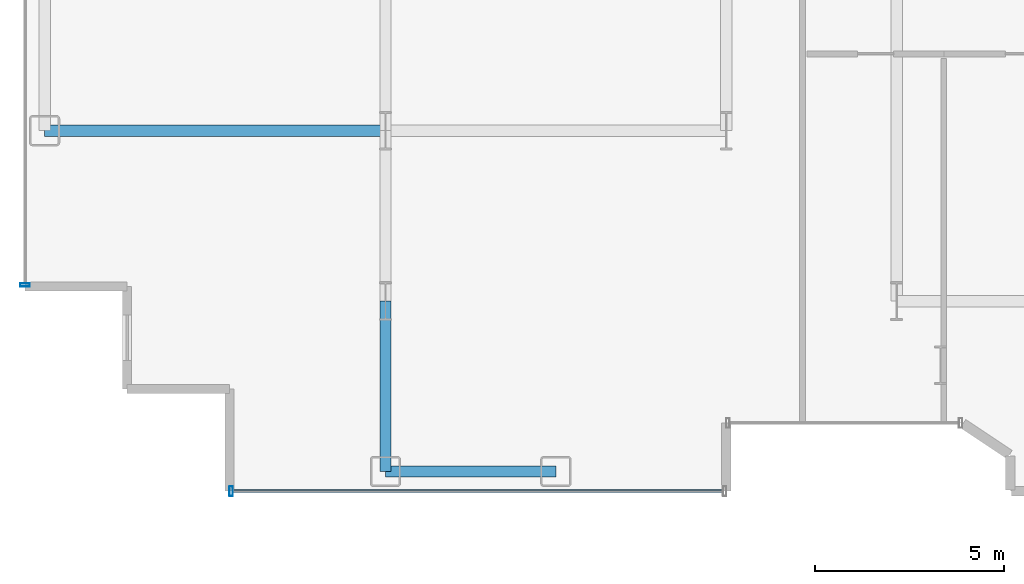
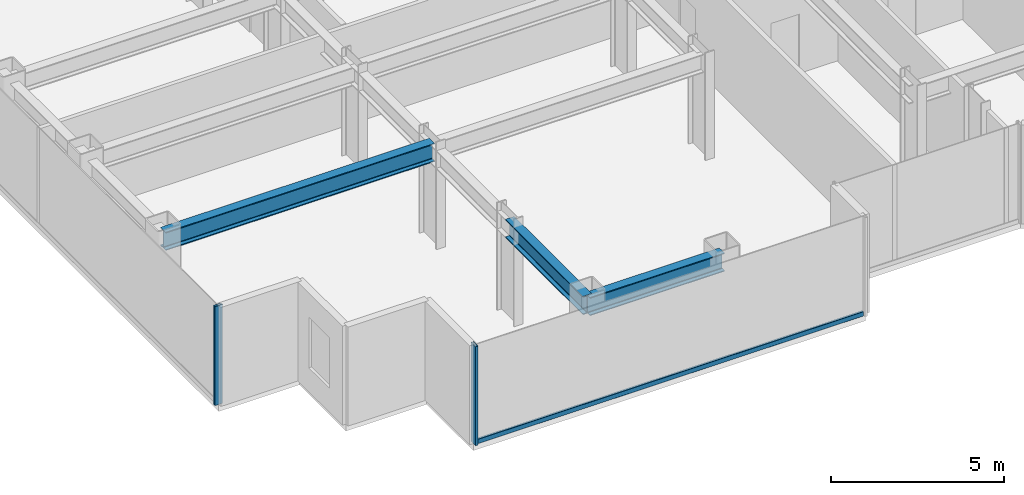
# One storey, part 2 of 26: 3 beams, 3 members, 2 elements without a shape of their own.
"""IFC4 building model written with IfcOpenShell, lengths in metres."""

from ifc_helpers import new_model, si_unit, direction, frame, origin, origin_2d, place, context, subcontext, project, spatial, hollow_rectangle, i_section, extrude, source, transform, mapped, material, layer, layer_set, material_profile, profile_set, type_object, element, aggregate, save


model = new_model("IFC4")

# Units and contexts
model_context = context("Model", 3, precision=1e-05, world=origin(), true_north=direction((0.0, 1.0)))
body_context = subcontext(model_context, "Body", "Model", "MODEL_VIEW")
ifc_project = project(units=[si_unit("LENGTHUNIT", "METRE"), si_unit("AREAUNIT", "SQUARE_METRE"), si_unit("VOLUMEUNIT", "CUBIC_METRE"), si_unit("PLANEANGLEUNIT", "RADIAN"), si_unit("MASSUNIT", "GRAM", prefix="KILO")], contexts=[model_context])

# Site, building, storey
site_placement = place(None, origin())
site = spatial("IfcSite", under=ifc_project, at=site_placement, CompositionType="ELEMENT")
building_placement = place(site_placement, origin())
building = spatial("IfcBuilding", under=site, at=building_placement, Name="Nefas-Gora Pilgrimage Tower", CompositionType="ELEMENT")
storey_placement = place(building_placement, frame((0.0, 0.0, 140.199951171875)))
storey = spatial("IfcBuildingStorey", under=building, at=storey_placement, Name="L34", CompositionType="ELEMENT", Elevation=140.199951171875)

# Beams
ifc_material_1 = material(Name="Steel S355", Category="steel")
ifc_material_profile_1 = material_profile(ifc_material_1, i_section(OverallWidth=0.300048828125, OverallDepth=0.64990234375, WebThickness=0.01611328125, FlangeThickness=0.031005859375, FilletRadius=0.027099609375, at=origin_2d()), Name="HEB 650")
ifc_profile_set_1 = profile_set([ifc_material_profile_1], Name="Steel S355")
beam_type_1 = type_object("IfcBeamType", Name="BM-SPN-HEB500", PredefinedType="SPANDREL", material=ifc_profile_set_1)
shared_shape_1 = source(origin(), body_context, "Body", "SweptSolid", [
    extrude(i_section(OverallWidth=0.300048828125, OverallDepth=0.64990234375, WebThickness=0.01611328125, FlangeThickness=0.031005859375, FilletRadius=0.027099609375, at=origin_2d()), origin(), (0.0, 0.0, 1.0), 4.5),
])
beam_1_placement = place(storey_placement, frame((-24.75, -22.5, 3.175048828125), z_axis=(1.0, 0.0, 0.0), x_axis=(0.0, 1.0, 0.0)))
element("IfcBeam", 1, at=beam_1_placement, inside=storey, type_object=beam_type_1, Name="L34 SP-02 beam", PredefinedType="SPANDREL", context=body_context, shape_type="MappedRepresentation", body=[
    mapped(shared_shape_1, transform((0.0, 0.0, 0.0), x_axis=(1.0, 0.0, 0.0), y_axis=(0.0, 1.0, 0.0), z_axis=(0.0, 0.0, 1.0), scale=1.0)),
])
ifc_material_profile_2 = material_profile(ifc_material_1, i_section(OverallWidth=0.300048828125, OverallDepth=0.64990234375, WebThickness=0.01611328125, FlangeThickness=0.031005859375, FilletRadius=0.027099609375, at=origin_2d()), Name="HEB 650")
ifc_profile_set_2 = profile_set([ifc_material_profile_2], Name="Steel S355")
beam_type_2 = type_object("IfcBeamType", Name="BM-GIR-HEB650", PredefinedType="BEAM", material=ifc_profile_set_2)
shared_shape_2 = source(origin(), body_context, "Body", "SweptSolid", [
    extrude(i_section(OverallWidth=0.300048828125, OverallDepth=0.64990234375, WebThickness=0.01611328125, FlangeThickness=0.031005859375, FilletRadius=0.027099609375, at=origin_2d()), origin(), (0.0, 0.0, 1.0), 9.0),
])
beam_2_placement = place(storey_placement, frame((-33.75, -13.5, 3.175048828125), z_axis=(1.0, 0.0, 0.0), x_axis=(0.0, 1.0, 0.0)))
element("IfcBeam", 2, at=beam_2_placement, inside=storey, type_object=beam_type_2, Name="L34 G-03 beam", PredefinedType="BEAM", context=body_context, shape_type="MappedRepresentation", body=[
    mapped(shared_shape_2, transform((0.0, 0.0, 0.0), x_axis=(1.0, 0.0, 0.0), y_axis=(0.0, 1.0, 0.0), z_axis=(0.0, 0.0, 1.0), scale=1.0)),
])
shared_shape_3 = source(origin(), body_context, "Body", "SweptSolid", [
    extrude(i_section(OverallWidth=0.300048828125, OverallDepth=0.64990234375, WebThickness=0.01611328125, FlangeThickness=0.031005859375, FilletRadius=0.027099609375, at=origin_2d()), origin(), (0.0, 0.0, 1.0), 4.5),
])
beam_3_placement = place(storey_placement, frame((-24.75, -22.5, 3.175048828125), z_axis=(0.0, 1.0, 0.0), x_axis=(-1.0, 0.0, 0.0)))
element("IfcBeam", 3, at=beam_3_placement, inside=storey, type_object=beam_type_2, Name="L34 G-03 beam", PredefinedType="BEAM", context=body_context, shape_type="MappedRepresentation", body=[
    mapped(shared_shape_3, transform((0.0, 0.0, 0.0), x_axis=(1.0, 0.0, 0.0), y_axis=(0.0, 1.0, 0.0), z_axis=(0.0, 0.0, 1.0), scale=1.0)),
])

# Curtain wall, member
ifc_material_2 = material(Name="Dark ceramic-fritted solar-control aluminium-glass curtain wall", Category="aluminium")
ifc_layer = layer(ifc_material_2, 0.219970703125)
ifc_layer_set = layer_set([ifc_layer], Name="Dark ceramic-fritted solar-control aluminium-glass curtain wall")
curtain_wall_type = type_object("IfcCurtainWallType", Name="CW-SYS-2", PredefinedType="NOTDEFINED", material=ifc_layer_set)
curtain_wall_1_placement = place(storey_placement, origin())
curtain_wall_1 = element("IfcCurtainWall", 4, at=curtain_wall_1_placement, inside=storey, type_object=curtain_wall_type, Name="L34 Unitised Curtain Wall CW2", PredefinedType="NOTDEFINED")
ifc_material_3 = material(Name="Anodised architectural aluminium", Category="aluminium")
ifc_material_profile_3 = material_profile(ifc_material_3, hollow_rectangle(XDim=0.080078125, YDim=0.159912109375, WallThickness=0.00439453125, InnerFilletRadius=0.00439453125, OuterFilletRadius=0.009033203125, at=origin_2d()), Name="ALU TRANSOM 80x160")
ifc_profile_set_3 = profile_set([ifc_material_profile_3], Name="Anodised architectural aluminium")
member_type_1 = type_object("IfcMemberType", Name="CWM-TRN-2", PredefinedType="USERDEFINED", material=ifc_profile_set_3)
shared_shape_4 = source(origin(), body_context, "Body", "SweptSolid", [
    extrude(hollow_rectangle(XDim=0.080078125, YDim=0.159912109375, WallThickness=0.00439453125, InnerFilletRadius=0.00439453125, OuterFilletRadius=0.009033203125, at=origin_2d()), origin(), (0.0, 0.0, 1.0), 12.93994140625),
])
member_1_placement = place(storey_placement, frame((-28.780029296875, -23.02001953125, 0.050048828125), z_axis=(1.0, 0.0, 0.0), x_axis=(0.0, 1.0, 0.0)))
member_1 = element("IfcMember", 5, at=member_1_placement, type_object=member_type_1, Name="CW2 Spandrel Transom", ObjectType="TRANSOM", PredefinedType="USERDEFINED", context=body_context, shape_type="MappedRepresentation", body=[
    mapped(shared_shape_4, transform((0.0, 0.0, 0.0), x_axis=(1.0, 0.0, 0.0), y_axis=(0.0, 1.0, 0.0), z_axis=(0.0, 0.0, 1.0), scale=1.0)),
])

curtain_wall_2_placement = place(storey_placement, origin())
curtain_wall_2 = element("IfcCurtainWall", 6, at=curtain_wall_2_placement, inside=storey, type_object=curtain_wall_type, Name="L34 Unitised Curtain Wall CW2", PredefinedType="NOTDEFINED")
ifc_material_profile_4 = material_profile(ifc_material_3, hollow_rectangle(XDim=0.090087890625, YDim=0.260009765625, WallThickness=0.006103515625, InnerFilletRadius=0.006103515625, OuterFilletRadius=0.011962890625, at=origin_2d()), Name="ALU MULLION 90x260")
ifc_profile_set_4 = profile_set([ifc_material_profile_4], Name="Anodised architectural aluminium")
member_type_2 = type_object("IfcMemberType", Name="CWM-MUL-2", PredefinedType="MULLION", material=ifc_profile_set_4)
shared_shape_5 = source(origin(), body_context, "Body", "SweptSolid", [
    extrude(hollow_rectangle(XDim=0.090087890625, YDim=0.260009765625, WallThickness=0.006103515625, InnerFilletRadius=0.006103515625, OuterFilletRadius=0.011962890625, at=origin_2d()), origin(), (0.0, 0.0, 1.0), 3.5),
])
member_2_placement = place(storey_placement, frame((-34.27001953125, -17.574951171875, 0.0), z_axis=(0.0, 0.0, 1.0), x_axis=(0.0, -1.0, 0.0)))
member_2 = element("IfcMember", 7, at=member_2_placement, type_object=member_type_2, Name="CW2 Mullion 2", PredefinedType="MULLION", context=body_context, shape_type="MappedRepresentation", body=[
    mapped(shared_shape_5, transform((0.0, 0.0, 0.0), x_axis=(1.0, 0.0, 0.0), y_axis=(0.0, 1.0, 0.0), z_axis=(0.0, 0.0, 1.0), scale=1.0)),
])
aggregate(curtain_wall_2, [member_2])

# Member
member_3_placement = place(storey_placement, frame((-28.824951171875, -23.02001953125, 0.0), z_axis=(0.0, 0.0, 1.0), x_axis=(1.0, 0.0, 0.0)))
member_3 = element("IfcMember", 8, at=member_3_placement, type_object=member_type_2, Name="CW2 Mullion 1", PredefinedType="MULLION", context=body_context, shape_type="MappedRepresentation", body=[
    mapped(shared_shape_5, transform((0.0, 0.0, 0.0), x_axis=(1.0, 0.0, 0.0), y_axis=(0.0, 1.0, 0.0), z_axis=(0.0, 0.0, 1.0), scale=1.0)),
])

aggregate(curtain_wall_1, [member_3, member_1])

save(model, "model.ifc")
